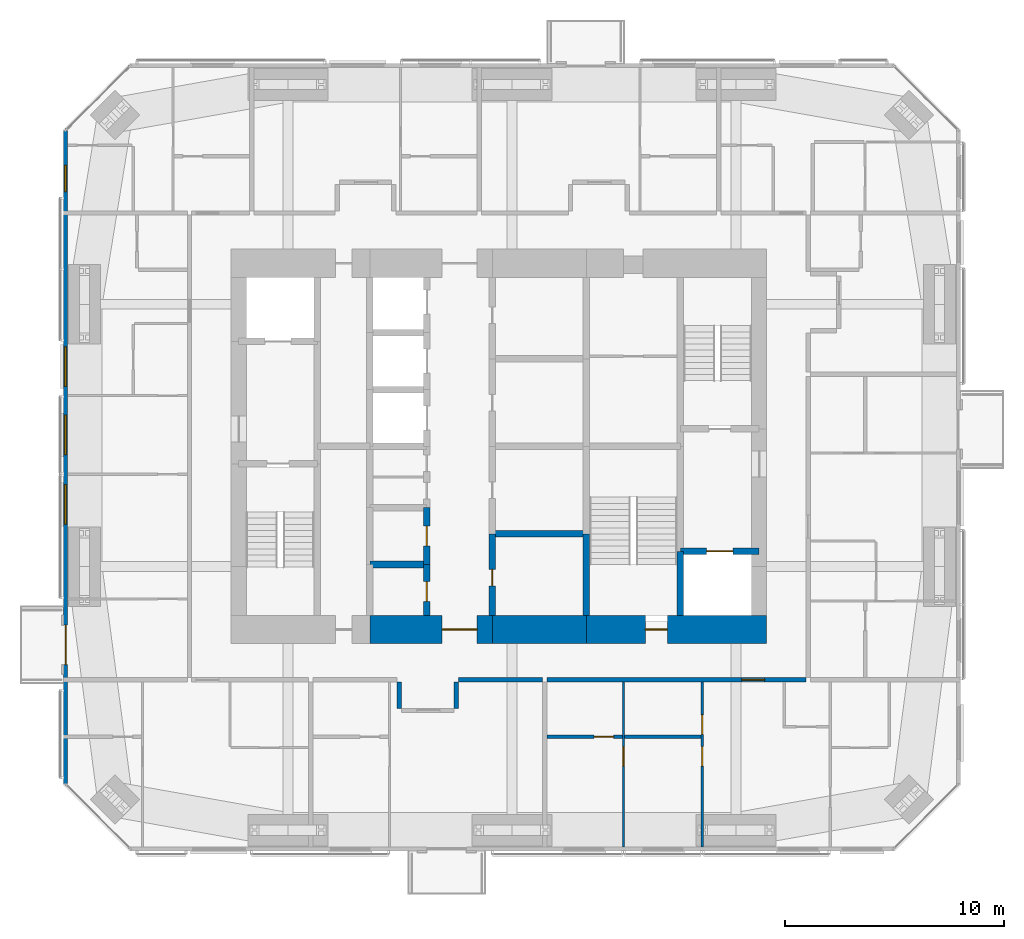
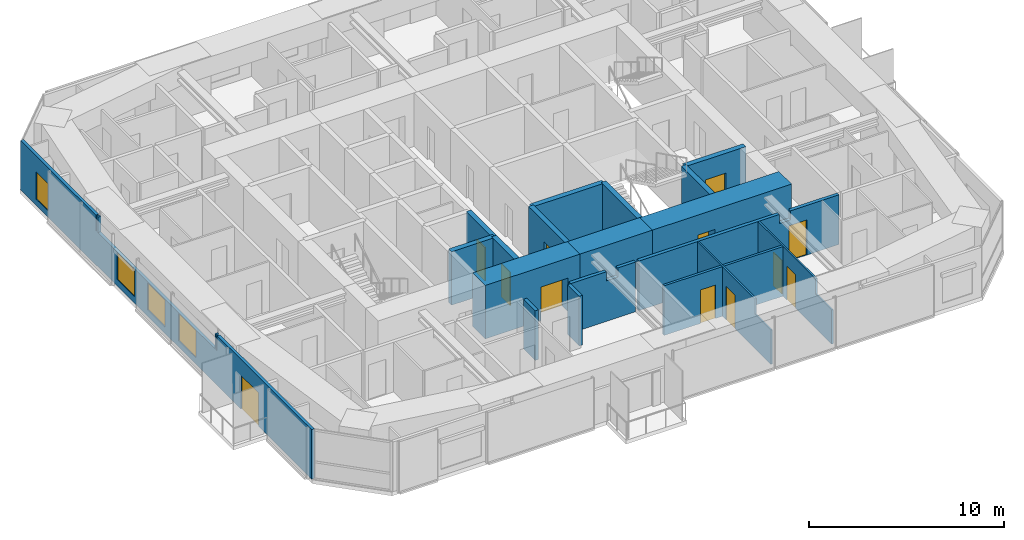
# One storey, part 17 of 23: 20 walls, 12 doors, 4 windows, 16 openings.
"""IFC4 building model written with IfcOpenShell, lengths in metres."""

from ifc_helpers import new_model, si_unit, direction, frame, frame_2d, origin, place, context, subcontext, project, spatial, polyline, rectangle, outline, extrude, material, layer, layer_set, constituent, constituent_set, type_object, element, fill, save


model = new_model("IFC4")

# Units and contexts
model_context = context("Model", 3, precision=1e-05, world=origin(), true_north=direction((0.0, 1.0)))
body_context = subcontext(model_context, "Body", "Model", "MODEL_VIEW")
ifc_project = project(units=[si_unit("LENGTHUNIT", "METRE"), si_unit("AREAUNIT", "SQUARE_METRE"), si_unit("VOLUMEUNIT", "CUBIC_METRE"), si_unit("PLANEANGLEUNIT", "RADIAN"), si_unit("MASSUNIT", "GRAM", prefix="KILO")], contexts=[model_context])

# Site, building, storey
site_placement = place(None, origin())
site = spatial("IfcSite", under=ifc_project, at=site_placement, CompositionType="ELEMENT")
building_placement = place(site_placement, origin())
building = spatial("IfcBuilding", under=site, at=building_placement, Name="Jalousie Tower", CompositionType="ELEMENT")
storey_placement = place(building_placement, frame((0.0, 0.0, 184.5)))
storey = spatial("IfcBuildingStorey", under=building, at=storey_placement, Name="L50", CompositionType="ELEMENT", Elevation=184.5)

# Wall, opening, door
ifc_material_1 = material(Name="Concrete block ASTM C90", Category="concrete")
ifc_constituent_1 = constituent(ifc_material_1, Name="Body")
ifc_material_2 = material(Name="Render")
ifc_constituent_2 = constituent(ifc_material_2, Name="Finish")
ifc_constituent_set_1 = constituent_set(constituents=[ifc_constituent_1, ifc_constituent_2])
wall_type_1 = type_object("IfcWallType", Name="BATHROOM WALL 150", PredefinedType="PLUMBINGWALL", material=ifc_constituent_set_1)
wall_1_placement = place(storey_placement, frame((34.10009765625, 5.22509765625, 0.0), z_axis=(0.0, 0.0, 1.0), x_axis=(1.0, 0.0, 0.0)))
wall_1 = element("IfcWall", 1, at=wall_1_placement, inside=storey, type_object=wall_type_1, Name="Bathroom Wall 150 L50", PredefinedType="PLUMBINGWALL", context=body_context, shape_type="SweptSolid", body=[
    extrude(rectangle(XDim=3.449951171875, YDim=0.14990234375, at=frame_2d((1.72509765625, 0.0))), origin(), (0.0, 0.0, 1.0), 3.110107421875),
])
opening_1_placement = place(wall_1_placement, frame((2.14990234375, 0.0, 0.0)))
opening_1 = element("IfcOpeningElement", 2, at=opening_1_placement, cuts=wall_1, Name="Opening D3", PredefinedType="OPENING", context=body_context, shape_type="SweptSolid", body=[
    extrude(rectangle(XDim=0.89990234375, YDim=2.10009765625, at=frame_2d((0.449951171875, 1.050048828125))), frame((0.0, 0.0849609375, 0.0), z_axis=(0.0, -1.0, 0.0), x_axis=(1.0, 0.0, 0.0)), (0.0, 0.0, 1.0), 0.169921875),
])
ifc_material_3 = material(Name="Timber door", Category="wood")
door_type_1 = type_object("IfcDoorType", Name="BATHROOM DOOR 900", OperationType="SINGLE_SWING_LEFT", PredefinedType="DOOR", material=ifc_material_3)
door_1_placement = place(opening_1_placement, origin())
door_1 = element("IfcDoor", 3, at=door_1_placement, inside=storey, type_object=door_type_1, Name="Apartment 5003 bedroom 1 bathroom door", OperationType="SINGLE_SWING_RIGHT", OverallHeight=2.10009765625, OverallWidth=0.89990234375, PredefinedType="DOOR", context=body_context, shape_type="SweptSolid", body=[
    extrude(rectangle(XDim=0.89990234375, YDim=2.10009765625, at=frame_2d((0.449951171875, 1.050048828125))), frame((0.0, 0.02490234375, 0.0), z_axis=(0.0, -1.0, 0.0), x_axis=(1.0, 0.0, 0.0)), (0.0, 0.0, 1.0), 0.050048828125),
])
fill(opening_1, door_1)

# Wall
wall_2_placement = place(storey_placement, frame((37.64990234375, 5.22509765625, 0.0), z_axis=(0.0, 0.0, 1.0), x_axis=(1.0, 0.0, 0.0)))
element("IfcWall", 4, at=wall_2_placement, inside=storey, type_object=wall_type_1, Name="Bathroom Wall 150 L50", PredefinedType="PLUMBINGWALL", context=body_context, shape_type="SweptSolid", body=[
    extrude(rectangle(XDim=3.5, YDim=0.14990234375, at=frame_2d((1.75, 0.0))), origin(), (0.0, 0.0, 1.0), 3.110107421875),
])

# Wall, opening, door
ifc_material_4 = material(Name="Concrete f'c 120 MPa", Category="concrete")
ifc_layer_1 = layer(ifc_material_4, 1.300048828125)
ifc_layer_set_1 = layer_set([ifc_layer_1], Name="Concrete f'c 120 MPa")
wall_type_2 = type_object("IfcWallType", Name="CORE WALL 1300", PredefinedType="SHEAR", material=ifc_layer_set_1)
wall_3_placement = place(storey_placement, frame((26.0, 10.125, 0.0), z_axis=(0.0, 0.0, 1.0), x_axis=(1.0, 0.0, 0.0)))
wall_3 = element("IfcWall", 5, at=wall_3_placement, inside=storey, type_object=wall_type_2, Name="Core wall SB L50", PredefinedType="SHEAR", context=body_context, shape_type="SweptSolid", body=[
    extrude(rectangle(XDim=5.60009765625, YDim=1.300048828125, at=frame_2d((2.800048828125, 0.0))), origin(), (0.0, 0.0, 1.0), 3.35009765625),
])
opening_2_placement = place(wall_3_placement, frame((3.300048828125, 0.0, 0.0)))
opening_2 = element("IfcOpeningElement", 6, at=opening_2_placement, cuts=wall_3, Name="Opening D15", PredefinedType="OPENING", context=body_context, shape_type="SweptSolid", body=[
    extrude(rectangle(XDim=1.60009765625, YDim=2.10009765625, at=frame_2d((0.800048828125, 1.050048828125))), frame((0.0, 0.659912109375, 0.0), z_axis=(0.0, -1.0, 0.0), x_axis=(1.0, 0.0, 0.0)), (0.0, 0.0, 1.0), 1.320068359375),
])
ifc_material_5 = material(Name="Steel fire door", Category="steel")
door_type_2 = type_object("IfcDoorType", Name="LIFT LOBBY DOOR 1600", OperationType="DOUBLE_DOOR_SINGLE_SWING", PredefinedType="DOOR", material=ifc_material_5)
door_2_placement = place(opening_2_placement, origin())
door_2 = element("IfcDoor", 7, at=door_2_placement, inside=storey, type_object=door_type_2, Name="Lift lobby south door", OperationType="DOUBLE_DOOR_SINGLE_SWING", OverallHeight=2.10009765625, OverallWidth=1.60009765625, PredefinedType="DOOR", context=body_context, shape_type="SweptSolid", body=[
    extrude(rectangle(XDim=1.60009765625, YDim=2.10009765625, at=frame_2d((0.800048828125, 1.050048828125))), frame((0.0, 0.02490234375, 0.0), z_axis=(0.0, -1.0, 0.0), x_axis=(1.0, 0.0, 0.0)), (0.0, 0.0, 1.0), 0.050048828125),
])
fill(opening_2, door_2)

# Wall
wall_4_placement = place(storey_placement, frame((31.60009765625, 10.125, 0.0), z_axis=(0.0, 0.0, 1.0), x_axis=(1.0, 0.0, 0.0)))
element("IfcWall", 8, at=wall_4_placement, inside=storey, type_object=wall_type_2, Name="Core wall SC L50", PredefinedType="SHEAR", context=body_context, shape_type="SweptSolid", body=[
    extrude(rectangle(XDim=4.2998046875, YDim=1.300048828125, at=frame_2d((2.14990234375, 0.0))), origin(), (0.0, 0.0, 1.0), 3.35009765625),
])

# Wall, opening, door
wall_5_placement = place(storey_placement, frame((35.89990234375, 10.125, 0.0), z_axis=(0.0, 0.0, 1.0), x_axis=(1.0, 0.0, 0.0)))
wall_5 = element("IfcWall", 9, at=wall_5_placement, inside=storey, type_object=wall_type_2, Name="Core wall SD L50", PredefinedType="SHEAR", context=body_context, shape_type="SweptSolid", body=[
    extrude(rectangle(XDim=8.25, YDim=1.300048828125, at=frame_2d((4.125, 0.0))), origin(), (0.0, 0.0, 1.0), 3.35009765625),
])
opening_3_placement = place(wall_5_placement, frame((2.699951171875, 0.0, 0.0)))
opening_3 = element("IfcOpeningElement", 10, at=opening_3_placement, cuts=wall_5, Name="Opening D10", PredefinedType="OPENING", context=body_context, shape_type="SweptSolid", body=[
    extrude(rectangle(XDim=1.0, YDim=2.10009765625, at=frame_2d((0.5, 1.050048828125))), frame((0.0, 0.659912109375, 0.0), z_axis=(0.0, -1.0, 0.0), x_axis=(1.0, 0.0, 0.0)), (0.0, 0.0, 1.0), 1.320068359375),
])
ifc_material_6 = material(Name="Steel fire door", Category="steel")
door_type_3 = type_object("IfcDoorType", Name="STAIR DOOR 1000", OperationType="SINGLE_SWING_LEFT", PredefinedType="DOOR", material=ifc_material_6)
door_3_placement = place(opening_3_placement, origin())
door_3 = element("IfcDoor", 11, at=door_3_placement, inside=storey, type_object=door_type_3, Name="Exit stair C door", OperationType="SINGLE_SWING_RIGHT", OverallHeight=2.10009765625, OverallWidth=1.0, PredefinedType="DOOR", context=body_context, shape_type="SweptSolid", body=[
    extrude(rectangle(XDim=1.0, YDim=2.10009765625, at=frame_2d((0.5, 1.050048828125))), frame((0.0, 0.02490234375, 0.0), z_axis=(0.0, -1.0, 0.0), x_axis=(1.0, 0.0, 0.0)), (0.0, 0.0, 1.0), 0.050048828125),
])
fill(opening_3, door_3)

ifc_material_7 = material(Name="Concrete f'c 120 MPa", Category="concrete")
ifc_layer_2 = layer(ifc_material_7, 0.300048828125)
ifc_layer_set_2 = layer_set([ifc_layer_2], Name="Concrete f'c 120 MPa")
wall_type_3 = type_object("IfcWallType", Name="CORE WALL 300", PredefinedType="SHEAR", material=ifc_layer_set_2)
wall_6_placement = place(storey_placement, frame((28.60009765625, 10.77490234375, 0.0), z_axis=(0.0, 0.0, 1.0), x_axis=(0.0, 1.0, 0.0)))
wall_6 = element("IfcWall", 12, at=wall_6_placement, inside=storey, type_object=wall_type_3, Name="Core wall X28.6A L50", PredefinedType="SHEAR", context=body_context, shape_type="SweptSolid", body=[
    extrude(rectangle(XDim=2.3251953125, YDim=0.300048828125, at=frame_2d((1.16259765625, 0.0))), origin(), (0.0, 0.0, 1.0), 3.35009765625),
])
opening_4_placement = place(wall_6_placement, frame((0.637451171875, 0.0, 0.0)))
opening_4 = element("IfcOpeningElement", 13, at=opening_4_placement, cuts=wall_6, Name="Opening D24", PredefinedType="OPENING", context=body_context, shape_type="SweptSolid", body=[
    extrude(rectangle(XDim=0.89990234375, YDim=2.10009765625, at=frame_2d((0.449951171875, 1.050048828125))), frame((0.0, 0.159912109375, 0.0), z_axis=(0.0, -1.0, 0.0), x_axis=(1.0, 0.0, 0.0)), (0.0, 0.0, 1.0), 0.320068359375),
])
ifc_material_8 = material(Name="Steel fire door", Category="steel")
door_type_4 = type_object("IfcDoorType", Name="CORE ROOM DOOR 900", OperationType="SINGLE_SWING_LEFT", PredefinedType="DOOR", material=ifc_material_8)
door_4_placement = place(opening_4_placement, origin())
door_4 = element("IfcDoor", 14, at=door_4_placement, inside=storey, type_object=door_type_4, Name="IT room door", OperationType="SINGLE_SWING_RIGHT", OverallHeight=2.10009765625, OverallWidth=0.89990234375, PredefinedType="DOOR", context=body_context, shape_type="SweptSolid", body=[
    extrude(rectangle(XDim=0.89990234375, YDim=2.10009765625, at=frame_2d((0.449951171875, 1.050048828125))), frame((0.0, 0.02490234375, 0.0), z_axis=(0.0, -1.0, 0.0), x_axis=(1.0, 0.0, 0.0)), (0.0, 0.0, 1.0), 0.050048828125),
])
fill(opening_4, door_4)

wall_7_placement = place(storey_placement, frame((28.60009765625, 13.10009765625, 0.0), z_axis=(0.0, 0.0, 1.0), x_axis=(0.0, 1.0, 0.0)))
wall_7 = element("IfcWall", 15, at=wall_7_placement, inside=storey, type_object=wall_type_3, Name="Core wall X28.6B L50", PredefinedType="SHEAR", context=body_context, shape_type="SweptSolid", body=[
    extrude(rectangle(XDim=2.599853515625, YDim=0.300048828125, at=frame_2d((1.2998046875, 0.0))), origin(), (0.0, 0.0, 1.0), 3.35009765625),
])
opening_5_placement = place(wall_7_placement, frame((0.85009765625, 0.0, 0.0)))
opening_5 = element("IfcOpeningElement", 16, at=opening_5_placement, cuts=wall_7, Name="Opening D24", PredefinedType="OPENING", context=body_context, shape_type="SweptSolid", body=[
    extrude(rectangle(XDim=0.89990234375, YDim=2.10009765625, at=frame_2d((0.449951171875, 1.050048828125))), frame((0.0, 0.159912109375, 0.0), z_axis=(0.0, -1.0, 0.0), x_axis=(1.0, 0.0, 0.0)), (0.0, 0.0, 1.0), 0.320068359375),
])
door_5_placement = place(opening_5_placement, origin())
door_5 = element("IfcDoor", 17, at=door_5_placement, inside=storey, type_object=door_type_4, Name="Linen store door", OperationType="SINGLE_SWING_RIGHT", OverallHeight=2.10009765625, OverallWidth=0.89990234375, PredefinedType="DOOR", context=body_context, shape_type="SweptSolid", body=[
    extrude(rectangle(XDim=0.89990234375, YDim=2.10009765625, at=frame_2d((0.449951171875, 1.050048828125))), frame((0.0, 0.02490234375, 0.0), z_axis=(0.0, -1.0, 0.0), x_axis=(1.0, 0.0, 0.0)), (0.0, 0.0, 1.0), 0.050048828125),
])
fill(opening_5, door_5)

wall_8_placement = place(storey_placement, frame((31.60009765625, 10.77490234375, 0.0), z_axis=(0.0, 0.0, 1.0), x_axis=(0.0, 1.0, 0.0)))
wall_8 = element("IfcWall", 18, at=wall_8_placement, inside=storey, type_object=wall_type_3, Name="Core wall X31.6A L50", PredefinedType="SHEAR", context=body_context, shape_type="SweptSolid", body=[
    extrude(rectangle(XDim=3.72509765625, YDim=0.300048828125, at=frame_2d((1.862548828125, 0.0))), origin(), (0.0, 0.0, 1.0), 3.35009765625),
])
opening_6_placement = place(wall_8_placement, frame((1.35009765625, 0.0, 0.0)))
opening_6 = element("IfcOpeningElement", 19, at=opening_6_placement, cuts=wall_8, Name="Opening D16", PredefinedType="OPENING", context=body_context, shape_type="SweptSolid", body=[
    extrude(rectangle(XDim=0.75, YDim=2.10009765625, at=frame_2d((0.375, 1.050048828125))), frame((0.0, 0.159912109375, 0.0), z_axis=(0.0, -1.0, 0.0), x_axis=(1.0, 0.0, 0.0)), (0.0, 0.0, 1.0), 0.320068359375),
])
ifc_material_9 = material(Name="Steel fire door", Category="steel")
door_type_5 = type_object("IfcDoorType", Name="RISER DOOR 750", OperationType="SINGLE_SWING_LEFT", PredefinedType="DOOR", material=ifc_material_9)
door_6_placement = place(opening_6_placement, frame((0.75, 0.0, 0.0), z_axis=(0.0, 0.0, 1.0), x_axis=(-1.0, 0.0, 0.0)))
door_6 = element("IfcDoor", 20, at=door_6_placement, inside=storey, type_object=door_type_5, Name="Refuse Room door", OperationType="SINGLE_SWING_RIGHT", OverallHeight=2.10009765625, OverallWidth=0.75, PredefinedType="DOOR", context=body_context, shape_type="SweptSolid", body=[
    extrude(rectangle(XDim=0.75, YDim=2.10009765625, at=frame_2d((0.375, 1.050048828125))), frame((0.0, 0.02490234375, 0.0), z_axis=(0.0, -1.0, 0.0), x_axis=(1.0, 0.0, 0.0)), (0.0, 0.0, 1.0), 0.050048828125),
])
fill(opening_6, door_6)

# Walls
wall_9_placement = place(storey_placement, frame((35.89990234375, 10.77490234375, 0.0), z_axis=(0.0, 0.0, 1.0), x_axis=(0.0, 1.0, 0.0)))
element("IfcWall", 21, at=wall_9_placement, inside=storey, type_object=wall_type_3, Name="Core wall X35.9A L50", PredefinedType="SHEAR", context=body_context, shape_type="SweptSolid", body=[
    extrude(rectangle(XDim=3.72509765625, YDim=0.300048828125, at=frame_2d((1.862548828125, 0.0))), origin(), (0.0, 0.0, 1.0), 3.35009765625),
])
wall_10_placement = place(storey_placement, frame((40.199951171875, 10.77490234375, 0.0), z_axis=(0.0, 0.0, 1.0), x_axis=(0.0, 1.0, 0.0)))
element("IfcWall", 22, at=wall_10_placement, inside=storey, type_object=wall_type_3, Name="Core wall X40.2A L50", PredefinedType="SHEAR", context=body_context, shape_type="SweptSolid", body=[
    extrude(rectangle(XDim=2.925048828125, YDim=0.300048828125, at=frame_2d((1.46240234375, 0.0))), origin(), (0.0, 0.0, 1.0), 3.35009765625),
])
wall_11_placement = place(storey_placement, frame((26.0, 13.10009765625, 0.0), z_axis=(0.0, 0.0, 1.0), x_axis=(1.0, 0.0, 0.0)))
element("IfcWall", 23, at=wall_11_placement, inside=storey, type_object=wall_type_3, Name="Core wall Y26-13.1 L50", PredefinedType="SHEAR", context=body_context, shape_type="SweptSolid", body=[
    extrude(rectangle(XDim=2.60009765625, YDim=0.300048828125, at=frame_2d((1.300048828125, 0.0))), origin(), (0.0, 0.0, 1.0), 3.35009765625),
])
wall_12_placement = place(storey_placement, frame((31.60009765625, 14.5, 0.0), z_axis=(0.0, 0.0, 1.0), x_axis=(1.0, 0.0, 0.0)))
element("IfcWall", 24, at=wall_12_placement, inside=storey, type_object=wall_type_3, Name="Core wall Y31.6-14.5 L50", PredefinedType="SHEAR", context=body_context, shape_type="SweptSolid", body=[
    extrude(rectangle(XDim=4.2998046875, YDim=0.300048828125, at=frame_2d((2.14990234375, 0.0))), origin(), (0.0, 0.0, 1.0), 3.35009765625),
])

# Wall, opening, door
wall_13_placement = place(storey_placement, frame((40.199951171875, 13.699951171875, 0.0), z_axis=(0.0, 0.0, 1.0), x_axis=(1.0, 0.0, 0.0)))
wall_13 = element("IfcWall", 25, at=wall_13_placement, inside=storey, type_object=wall_type_3, Name="Core wall Y40.2-13.7 L50", PredefinedType="SHEAR", context=body_context, shape_type="SweptSolid", body=[
    extrude(rectangle(XDim=3.60009765625, YDim=0.300048828125, at=frame_2d((1.800048828125, 0.0))), origin(), (0.0, 0.0, 1.0), 3.35009765625),
])
opening_7_placement = place(wall_13_placement, frame((1.199951171875, 0.0, 0.0)))
opening_7 = element("IfcOpeningElement", 26, at=opening_7_placement, cuts=wall_13, Name="Opening LD2", PredefinedType="OPENING", context=body_context, shape_type="SweptSolid", body=[
    extrude(rectangle(XDim=1.199951171875, YDim=2.10009765625, at=frame_2d((0.60009765625, 1.050048828125))), frame((0.0, 0.159912109375, 0.0), z_axis=(0.0, -1.0, 0.0), x_axis=(1.0, 0.0, 0.0)), (0.0, 0.0, 1.0), 0.320068359375),
])
ifc_material_10 = material(Name="Steel lift landing door", Category="steel")
door_type_6 = type_object("IfcDoorType", Name="LIFT LANDING DOOR 1200", OperationType="SLIDING_TO_LEFT", PredefinedType="DOOR", material=ifc_material_10)
door_7_placement = place(opening_7_placement, origin())
door_7 = element("IfcDoor", 27, at=door_7_placement, inside=storey, type_object=door_type_6, Name="Lift F2 landing door", OperationType="SLIDING_TO_LEFT", OverallHeight=2.10009765625, OverallWidth=1.199951171875, PredefinedType="DOOR", context=body_context, shape_type="SweptSolid", body=[
    extrude(rectangle(XDim=1.199951171875, YDim=2.10009765625, at=frame_2d((0.60009765625, 1.050048828125))), frame((0.0, 0.02490234375, 0.0), z_axis=(0.0, -1.0, 0.0), x_axis=(1.0, 0.0, 0.0)), (0.0, 0.0, 1.0), 0.050048828125),
])
fill(opening_7, door_7)

ifc_material_11 = material(Name="Concrete block ASTM C90", Category="concrete")
ifc_constituent_3 = constituent(ifc_material_11, Name="Body")
ifc_material_12 = material(Name="Render")
ifc_constituent_4 = constituent(ifc_material_12, Name="Finish")
ifc_constituent_set_2 = constituent_set(constituents=[ifc_constituent_3, ifc_constituent_4])
wall_type_4 = type_object("IfcWallType", Name="CORRIDOR WALL 200", PredefinedType="PARTITIONING", material=ifc_constituent_set_2)
wall_14_placement = place(storey_placement, frame((34.10009765625, 7.824951171875, 0.0), z_axis=(0.0, 0.0, 1.0), x_axis=(1.0, 0.0, 0.0)))
wall_14 = element("IfcWall", 28, at=wall_14_placement, inside=storey, type_object=wall_type_4, Name="Corridor Wall 200 L50", PredefinedType="PARTITIONING", context=body_context, shape_type="SweptSolid", body=[
    extrude(outline(polyline([(0.0, 0.0), (11.849853515625, 0.0), (11.85009765625, 3.110107421875), (8.9873046875, 3.110107421875), (8.9873046875, 2.541015625), (8.3125, 2.541015625), (8.3125, 3.110107421875), (0.0, 3.110107421875), (0.0, 0.0)])), frame((0.0, 0.10009765625, 0.0), z_axis=(0.0, -1.0, 0.0), x_axis=(1.0, 0.0, 0.0)), (0.0, 0.0, 1.0), 0.199951171875),
])
opening_8_placement = place(wall_14_placement, frame((8.89990234375, 0.0, 0.0)))
opening_8 = element("IfcOpeningElement", 29, at=opening_8_placement, cuts=wall_14, Name="Opening D1", PredefinedType="OPENING", context=body_context, shape_type="SweptSolid", body=[
    extrude(rectangle(XDim=1.050048828125, YDim=2.199951171875, at=frame_2d((0.52490234375, 1.10009765625))), frame((0.0, 0.10986328125, 0.0), z_axis=(0.0, -1.0, 0.0), x_axis=(1.0, 0.0, 0.0)), (0.0, 0.0, 1.0), 0.219970703125),
])
ifc_material_13 = material(Name="Timber fire door", Category="wood")
door_type_7 = type_object("IfcDoorType", Name="APARTMENT ENTRANCE DOOR 1050", OperationType="SINGLE_SWING_LEFT", PredefinedType="DOOR", material=ifc_material_13)
door_8_placement = place(opening_8_placement, frame((1.050048828125, 0.0, 0.0), z_axis=(0.0, 0.0, 1.0), x_axis=(-1.0, 0.0, 0.0)))
door_8 = element("IfcDoor", 30, at=door_8_placement, inside=storey, type_object=door_type_7, Name="Apartment 5003 entrance", OperationType="SINGLE_SWING_LEFT", OverallHeight=2.199951171875, OverallWidth=1.050048828125, PredefinedType="DOOR", context=body_context, shape_type="SweptSolid", body=[
    extrude(rectangle(XDim=1.050048828125, YDim=2.199951171875, at=frame_2d((0.52490234375, 1.10009765625))), frame((0.0, 0.02490234375, 0.0), z_axis=(0.0, -1.0, 0.0), x_axis=(1.0, 0.0, 0.0)), (0.0, 0.0, 1.0), 0.050048828125),
])
fill(opening_8, door_8)

# Walls
wall_15_placement = place(storey_placement, frame((30.050048828125, 7.824951171875, 0.0), z_axis=(0.0, 0.0, 1.0), x_axis=(1.0, 0.0, 0.0)))
element("IfcWall", 31, at=wall_15_placement, inside=storey, type_object=wall_type_4, Name="Corridor Wall 200 L50", PredefinedType="PARTITIONING", context=body_context, shape_type="SweptSolid", body=[
    extrude(outline(polyline([(0.0, 0.0), (3.849853515625, 0.0), (3.85009765625, 3.110107421875), (2.787353515625, 3.110107421875), (2.787353515625, 2.541015625), (2.112548828125, 2.541015625), (2.112548828125, 3.110107421875), (0.0, 3.110107421875), (0.0, 0.0)])), frame((0.0, 0.10009765625, 0.0), z_axis=(0.0, -1.0, 0.0), x_axis=(1.0, 0.0, 0.0)), (0.0, 0.0, 1.0), 0.199951171875),
])
for number, where, z_axis, x_axis, name in (
    (32, (27.35009765625, 7.72509765625, 0.0), (0.0, 0.0, 1.0), (0.0, -1.0, 0.0), "Corridor Wall 200 L50"),
    (33, (29.949951171875, 7.72509765625, 0.0), (0.0, 0.0, 1.0), (0.0, -1.0, 0.0), "Corridor Wall 200 L50"),
):
    element("IfcWall", number, at=place(storey_placement, frame(where, z_axis=z_axis, x_axis=x_axis)), inside=storey, type_object=wall_type_4, Name=name, PredefinedType="PARTITIONING", context=body_context, shape_type="SweptSolid", body=[
        extrude(rectangle(XDim=1.2001953125, YDim=0.199951171875, at=frame_2d((0.60009765625, 0.0))), origin(), (0.0, 0.0, 1.0), 3.110107421875),
    ])

# Wall, openings, door, windows
ifc_material_14 = material(Name="Concrete f'c 40 MPa", Category="concrete")
ifc_constituent_5 = constituent(ifc_material_14, Name="Body")
ifc_material_15 = material(Name="Render, pastel lemon")
ifc_constituent_6 = constituent(ifc_material_15, Name="Finish")
ifc_constituent_set_3 = constituent_set(constituents=[ifc_constituent_5, ifc_constituent_6])
wall_type_5 = type_object("IfcWallType", Name="EXTERNAL WALL 175 LEMON RENDER", PredefinedType="SOLIDWALL", material=ifc_constituent_set_3)
wall_16_placement = place(storey_placement, frame((12.08740234375, 32.94873046875, 0.0), z_axis=(0.0, 0.0, 1.0), x_axis=(0.0, -1.0, 0.0)))
wall_16 = element("IfcWall", 34, at=wall_16_placement, inside=storey, type_object=wall_type_5, Name="External Wall 175 Lemon Render L50", PredefinedType="SOLIDWALL", context=body_context, shape_type="SweptSolid", body=[
    extrude(outline(polyline([(0.0, 0.0), (29.8974609375, 0.0), (29.8974609375, 3.110107421875), (20.19140625, 3.110107421875), (20.19140625, 2.14990234375), (20.050537109375, 2.14990234375), (20.050537109375, 3.110107421875), (19.94873046875, 3.110107421875), (19.94873046875, 2.14990234375), (7.94873046875, 2.14990234375), (7.94873046875, 3.110107421875), (7.823486328125, 3.110107421875), (7.823486328125, 2.14990234375), (7.729736328125, 2.14990234375), (7.729736328125, 3.110107421875), (0.0, 3.110107421875), (0.0, 0.0)])), frame((0.0, 0.08740234375, 0.0), z_axis=(0.0, -1.0, 0.0), x_axis=(1.0, 0.0, 0.0)), (0.0, 0.0, 1.0), 0.175048828125),
])
opening_9_placement = place(wall_16_placement, frame((1.5986328125, 0.0, 0.39990234375)))
opening_9 = element("IfcOpeningElement", 35, at=opening_9_placement, cuts=wall_16, Name="Opening W-COR170", PredefinedType="OPENING", context=body_context, shape_type="SweptSolid", body=[
    extrude(rectangle(XDim=1.199951171875, YDim=1.699951171875, at=frame_2d((0.60009765625, 0.85009765625))), frame((0.0, 0.097412109375, 0.0), z_axis=(0.0, -1.0, 0.0), x_axis=(1.0, 0.0, 0.0)), (0.0, 0.0, 1.0), 0.195068359375),
])
opening_10_placement = place(wall_16_placement, frame((9.898681640625, 0.0, 0.39990234375)))
opening_10 = element("IfcOpeningElement", 36, at=opening_10_placement, cuts=wall_16, Name="Opening W-BED170", PredefinedType="OPENING", context=body_context, shape_type="SweptSolid", body=[
    extrude(rectangle(XDim=1.800048828125, YDim=1.699951171875, at=frame_2d((0.89990234375, 0.85009765625))), frame((0.0, 0.097412109375, 0.0), z_axis=(0.0, -1.0, 0.0), x_axis=(1.0, 0.0, 0.0)), (0.0, 0.0, 1.0), 0.195068359375),
])
opening_11_placement = place(wall_16_placement, frame((13.023681640625, 0.0, 0.39990234375)))
opening_11 = element("IfcOpeningElement", 37, at=opening_11_placement, cuts=wall_16, Name="Opening W-BED170", PredefinedType="OPENING", context=body_context, shape_type="SweptSolid", body=[
    extrude(rectangle(XDim=1.800048828125, YDim=1.699951171875, at=frame_2d((0.89990234375, 0.85009765625))), frame((0.0, 0.097412109375, 0.0), z_axis=(0.0, -1.0, 0.0), x_axis=(1.0, 0.0, 0.0)), (0.0, 0.0, 1.0), 0.195068359375),
])
opening_12_placement = place(wall_16_placement, frame((16.201171875, 0.0, 0.39990234375)))
opening_12 = element("IfcOpeningElement", 38, at=opening_12_placement, cuts=wall_16, Name="Opening W-BED170", PredefinedType="OPENING", context=body_context, shape_type="SweptSolid", body=[
    extrude(rectangle(XDim=1.800048828125, YDim=1.699951171875, at=frame_2d((0.89990234375, 0.85009765625))), frame((0.0, 0.097412109375, 0.0), z_axis=(0.0, -1.0, 0.0), x_axis=(1.0, 0.0, 0.0)), (0.0, 0.0, 1.0), 0.195068359375),
])
opening_13_placement = place(wall_16_placement, frame((22.623779296875, 0.0, 0.0)))
opening_13 = element("IfcOpeningElement", 39, at=opening_13_placement, cuts=wall_16, Name="Opening D-BAL21", PredefinedType="OPENING", context=body_context, shape_type="SweptSolid", body=[
    extrude(rectangle(XDim=1.800048828125, YDim=2.10009765625, at=frame_2d((0.89990234375, 1.050048828125))), frame((0.0, 0.097412109375, 0.0), z_axis=(0.0, -1.0, 0.0), x_axis=(1.0, 0.0, 0.0)), (0.0, 0.0, 1.0), 0.195068359375),
])
ifc_material_16 = material(Name="Aluminium frame, impact-rated glazing", Category="aluminium")
door_type_8 = type_object("IfcDoorType", Name="BALCONY DOOR 1800x2100", OperationType="SLIDING_TO_LEFT", PredefinedType="DOOR", material=ifc_material_16)
door_9_placement = place(opening_13_placement, origin())
door_9 = element("IfcDoor", 40, at=door_9_placement, inside=storey, type_object=door_type_8, Name="Apartment 5008 bedroom 1 balcony door", OperationType="SLIDING_TO_LEFT", OverallHeight=2.10009765625, OverallWidth=1.800048828125, PredefinedType="DOOR", context=body_context, shape_type="SweptSolid", body=[
    extrude(rectangle(XDim=1.800048828125, YDim=2.10009765625, at=frame_2d((0.89990234375, 1.050048828125))), frame((0.0, 0.02490234375, 0.0), z_axis=(0.0, -1.0, 0.0), x_axis=(1.0, 0.0, 0.0)), (0.0, 0.0, 1.0), 0.050048828125),
])
fill(opening_13, door_9)
ifc_material_17 = material(Name="Aluminium frame, impact-rated glazing", Category="aluminium")
window_type_1 = type_object("IfcWindowType", Name="WINDOW BED 1800x1700", PartitioningType="SINGLE_PANEL", PredefinedType="WINDOW", material=ifc_material_17)
window_1_placement = place(opening_10_placement, origin())
window_1 = element("IfcWindow", 41, at=window_1_placement, inside=storey, type_object=window_type_1, Name="Apartment 5008 living and dining room window", OverallHeight=1.699951171875, OverallWidth=1.800048828125, PartitioningType="SINGLE_PANEL", PredefinedType="WINDOW", context=body_context, shape_type="SweptSolid", body=[
    extrude(rectangle(XDim=1.800048828125, YDim=1.699951171875, at=frame_2d((0.89990234375, 0.85009765625))), frame((0.0, 0.030029296875, 0.0), z_axis=(0.0, -1.0, 0.0), x_axis=(1.0, 0.0, 0.0)), (0.0, 0.0, 1.0), 0.06005859375),
])
fill(opening_10, window_1)
window_2_placement = place(opening_11_placement, origin())
window_2 = element("IfcWindow", 42, at=window_2_placement, inside=storey, type_object=window_type_1, Name="Apartment 5008 bedroom 3 window", OverallHeight=1.699951171875, OverallWidth=1.800048828125, PartitioningType="SINGLE_PANEL", PredefinedType="WINDOW", context=body_context, shape_type="SweptSolid", body=[
    extrude(rectangle(XDim=1.800048828125, YDim=1.699951171875, at=frame_2d((0.89990234375, 0.85009765625))), frame((0.0, 0.030029296875, 0.0), z_axis=(0.0, -1.0, 0.0), x_axis=(1.0, 0.0, 0.0)), (0.0, 0.0, 1.0), 0.06005859375),
])
fill(opening_11, window_2)
window_3_placement = place(opening_12_placement, origin())
window_3 = element("IfcWindow", 43, at=window_3_placement, inside=storey, type_object=window_type_1, Name="Apartment 5008 bedroom 2 window", OverallHeight=1.699951171875, OverallWidth=1.800048828125, PartitioningType="SINGLE_PANEL", PredefinedType="WINDOW", context=body_context, shape_type="SweptSolid", body=[
    extrude(rectangle(XDim=1.800048828125, YDim=1.699951171875, at=frame_2d((0.89990234375, 0.85009765625))), frame((0.0, 0.030029296875, 0.0), z_axis=(0.0, -1.0, 0.0), x_axis=(1.0, 0.0, 0.0)), (0.0, 0.0, 1.0), 0.06005859375),
])
fill(opening_12, window_3)
ifc_material_18 = material(Name="Aluminium frame, impact-rated glazing", Category="aluminium")
window_type_2 = type_object("IfcWindowType", Name="WINDOW COR 1200x1700", PartitioningType="SINGLE_PANEL", PredefinedType="WINDOW", material=ifc_material_18)
window_4_placement = place(opening_9_placement, origin())
window_4 = element("IfcWindow", 44, at=window_4_placement, inside=storey, type_object=window_type_2, Name="Apartment 5004 kitchen window", OverallHeight=1.699951171875, OverallWidth=1.199951171875, PartitioningType="SINGLE_PANEL", PredefinedType="WINDOW", context=body_context, shape_type="SweptSolid", body=[
    extrude(rectangle(XDim=1.199951171875, YDim=1.699951171875, at=frame_2d((0.60009765625, 0.85009765625))), frame((0.0, 0.030029296875, 0.0), z_axis=(0.0, -1.0, 0.0), x_axis=(1.0, 0.0, 0.0)), (0.0, 0.0, 1.0), 0.06005859375),
])
fill(opening_9, window_4)

# Wall, opening, door
ifc_material_19 = material(Name="Gypsum board", Category="gypsum")
ifc_constituent_7 = constituent(ifc_material_19, Name="Body")
ifc_material_20 = material(Name="Light-gauge steel studs ASTM A653 SS Grade 33", Category="steel")
ifc_constituent_8 = constituent(ifc_material_20, Name="Framing")
ifc_constituent_set_4 = constituent_set(constituents=[ifc_constituent_7, ifc_constituent_8])
wall_type_6 = type_object("IfcWallType", Name="PARTITION 100", PredefinedType="PARTITIONING", material=ifc_constituent_set_4)
wall_17_placement = place(storey_placement, frame((37.60009765625, 0.175048828125, 0.0), z_axis=(0.0, 0.0, 1.0), x_axis=(0.0, 1.0, 0.0)))
wall_17 = element("IfcWall", 45, at=wall_17_placement, inside=storey, type_object=wall_type_6, Name="Partition 100 L50", PredefinedType="PARTITIONING", context=body_context, shape_type="SweptSolid", body=[
    extrude(outline(polyline([(0.0, 0.0), (7.550048828125, 0.0), (7.550048828125, 3.110107421875), (1.635009765625, 3.110107421875), (1.635009765625, 2.14990234375), (0.0, 2.14990234375), (0.0, 3.110107421875), (0.0, 0.0)])), frame((0.0, 0.050048828125, 0.0), z_axis=(0.0, -1.0, 0.0), x_axis=(1.0, 0.0, 0.0)), (0.0, 0.0, 1.0), 0.10009765625),
])
opening_14_placement = place(wall_17_placement, frame((3.699951171875, 0.0, 0.0)))
opening_14 = element("IfcOpeningElement", 46, at=opening_14_placement, cuts=wall_17, Name="Opening D2", PredefinedType="OPENING", context=body_context, shape_type="SweptSolid", body=[
    extrude(rectangle(XDim=0.89990234375, YDim=2.10009765625, at=frame_2d((0.449951171875, 1.050048828125))), frame((0.0, 0.06005859375, 0.0), z_axis=(0.0, -1.0, 0.0), x_axis=(1.0, 0.0, 0.0)), (0.0, 0.0, 1.0), 0.1201171875),
])
ifc_material_21 = material(Name="Timber door", Category="wood")
door_type_9 = type_object("IfcDoorType", Name="BEDROOM DOOR 900", OperationType="SINGLE_SWING_LEFT", PredefinedType="DOOR", material=ifc_material_21)
door_10_placement = place(opening_14_placement, origin())
door_10 = element("IfcDoor", 47, at=door_10_placement, inside=storey, type_object=door_type_9, Name="Apartment 5003 bedroom 1 door", OperationType="SINGLE_SWING_RIGHT", OverallHeight=2.10009765625, OverallWidth=0.89990234375, PredefinedType="DOOR", context=body_context, shape_type="SweptSolid", body=[
    extrude(rectangle(XDim=0.89990234375, YDim=2.10009765625, at=frame_2d((0.449951171875, 1.050048828125))), frame((0.0, 0.02490234375, 0.0), z_axis=(0.0, -1.0, 0.0), x_axis=(1.0, 0.0, 0.0)), (0.0, 0.0, 1.0), 0.050048828125),
])
fill(opening_14, door_10)

# Wall, openings, doors
wall_18_placement = place(storey_placement, frame((41.199951171875, 0.175048828125, 0.0), z_axis=(0.0, 0.0, 1.0), x_axis=(0.0, 1.0, 0.0)))
wall_18 = element("IfcWall", 48, at=wall_18_placement, inside=storey, type_object=wall_type_6, Name="Partition 100 L50", PredefinedType="PARTITIONING", context=body_context, shape_type="SweptSolid", body=[
    extrude(outline(polyline([(0.0, 0.0), (7.550048828125, 0.0), (7.550048828125, 3.110107421875), (1.635009765625, 3.110107421875), (1.635009765625, 2.14990234375), (0.0, 2.14990234375), (0.0, 3.110107421875), (0.0, 0.0)])), frame((0.0, 0.050048828125, 0.0), z_axis=(0.0, -1.0, 0.0), x_axis=(1.0, 0.0, 0.0)), (0.0, 0.0, 1.0), 0.10009765625),
])
opening_15_placement = place(wall_18_placement, frame((3.699951171875, 0.0, 0.0)))
opening_15 = element("IfcOpeningElement", 49, at=opening_15_placement, cuts=wall_18, Name="Opening D2", PredefinedType="OPENING", context=body_context, shape_type="SweptSolid", body=[
    extrude(rectangle(XDim=0.89990234375, YDim=2.10009765625, at=frame_2d((0.449951171875, 1.050048828125))), frame((0.0, 0.06005859375, 0.0), z_axis=(0.0, -1.0, 0.0), x_axis=(1.0, 0.0, 0.0)), (0.0, 0.0, 1.0), 0.1201171875),
])
opening_16_placement = place(wall_18_placement, frame((5.14990234375, 0.0, 0.0)))
opening_16 = element("IfcOpeningElement", 50, at=opening_16_placement, cuts=wall_18, Name="Opening D7", PredefinedType="OPENING", context=body_context, shape_type="SweptSolid", body=[
    extrude(rectangle(XDim=0.89990234375, YDim=2.10009765625, at=frame_2d((0.449951171875, 1.050048828125))), frame((0.0, 0.06005859375, 0.0), z_axis=(0.0, -1.0, 0.0), x_axis=(1.0, 0.0, 0.0)), (0.0, 0.0, 1.0), 0.1201171875),
])
door_11_placement = place(opening_15_placement, frame((0.89990234375, 0.0, 0.0), z_axis=(0.0, 0.0, 1.0), x_axis=(-1.0, 0.0, 0.0)))
door_11 = element("IfcDoor", 51, at=door_11_placement, inside=storey, type_object=door_type_9, Name="Apartment 5003 bedroom 2 door", OperationType="SINGLE_SWING_LEFT", OverallHeight=2.10009765625, OverallWidth=0.89990234375, PredefinedType="DOOR", context=body_context, shape_type="SweptSolid", body=[
    extrude(rectangle(XDim=0.89990234375, YDim=2.10009765625, at=frame_2d((0.449951171875, 1.050048828125))), frame((0.0, 0.02490234375, 0.0), z_axis=(0.0, -1.0, 0.0), x_axis=(1.0, 0.0, 0.0)), (0.0, 0.0, 1.0), 0.050048828125),
])
fill(opening_15, door_11)
ifc_material_22 = material(Name="Timber door", Category="wood")
door_type_10 = type_object("IfcDoorType", Name="INTERNAL DOOR 900", OperationType="SINGLE_SWING_LEFT", PredefinedType="DOOR", material=ifc_material_22)
door_12_placement = place(opening_16_placement, origin())
door_12 = element("IfcDoor", 52, at=door_12_placement, inside=storey, type_object=door_type_10, Name="Apartment 5003 bathroom door", OperationType="SINGLE_SWING_LEFT", OverallHeight=2.10009765625, OverallWidth=0.89990234375, PredefinedType="DOOR", context=body_context, shape_type="SweptSolid", body=[
    extrude(rectangle(XDim=0.89990234375, YDim=2.10009765625, at=frame_2d((0.449951171875, 1.050048828125))), frame((0.0, 0.02490234375, 0.0), z_axis=(0.0, -1.0, 0.0), x_axis=(1.0, 0.0, 0.0)), (0.0, 0.0, 1.0), 0.050048828125),
])
fill(opening_16, door_12)

save(model, "model.ifc")
